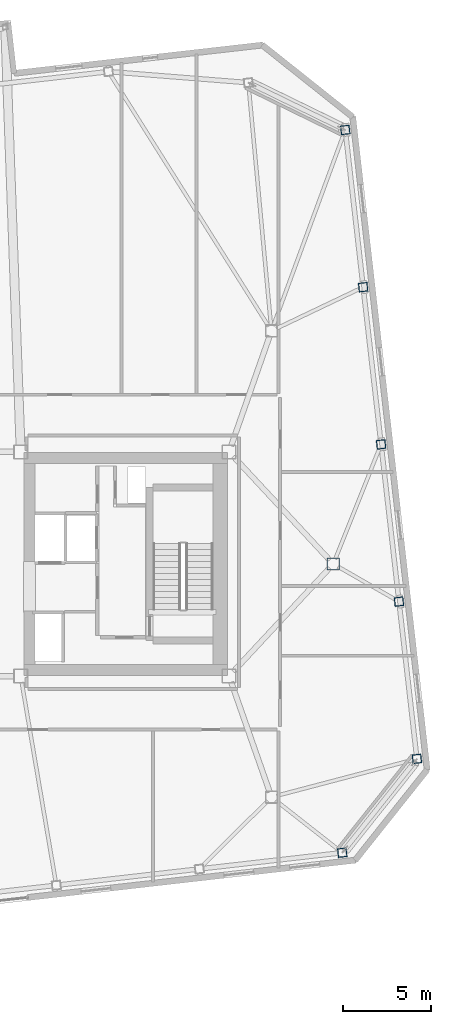
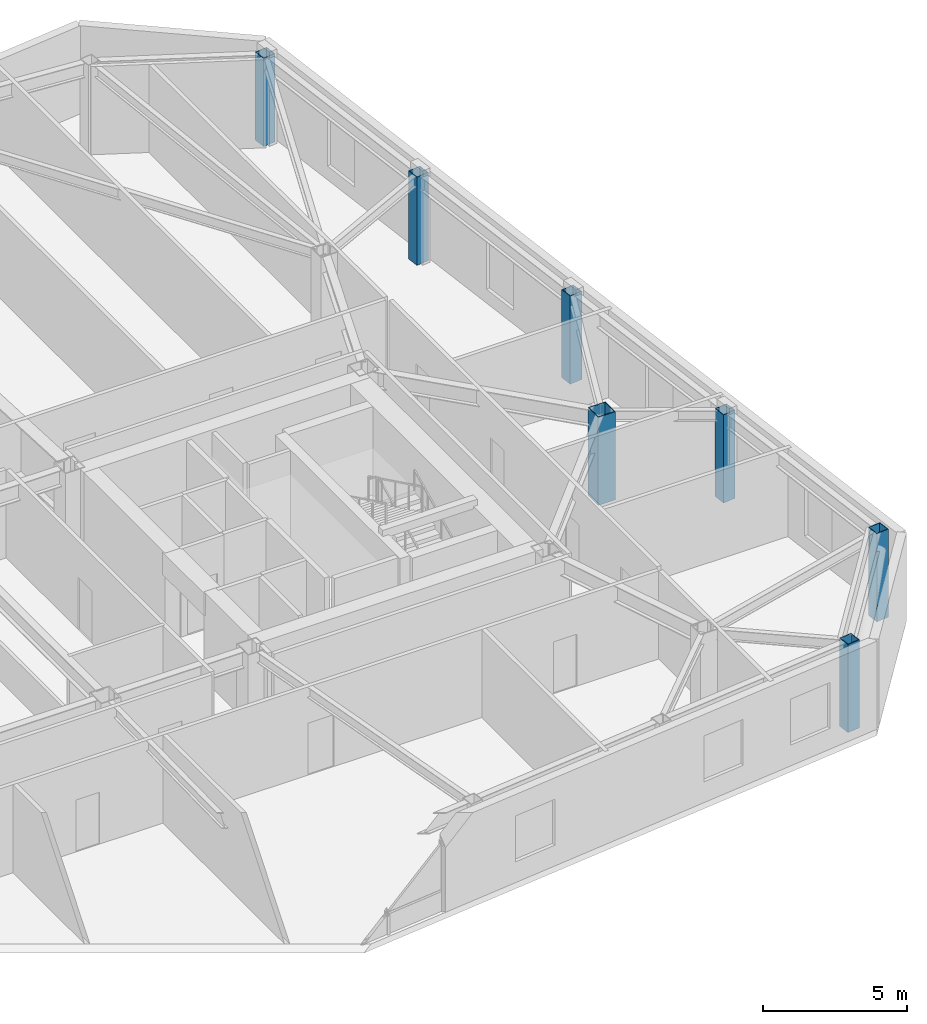
# One storey, part 4 of 19: 7 columns.
"""IFC4 building model written with IfcOpenShell, lengths in metres."""

import ifcopenshell
import ifcopenshell.guid

model = None  # the IFC model being written
_history = None  # IfcOwnerHistory: only IFC2X3 demands one
_inside = {}  # id of a spatial element -> (the spatial element, [elements in it])
_under = {}  # id of a project, library or spatial element -> (it, [spatial elements below it])
_declared = {}  # id of a project -> (the project, [libraries it declares])
_typed = {}  # id of a type object -> (the type object, [elements of that type])
_made_of = {}  # id of a material, layer set ... -> (it, [elements and type objects made of it])


def new_model(schema):
    """Start an empty IFC model of exactly this schema.

    Asked for "IFC4X3", IfcOpenShell would pick the latest addendum, in which some entities
    have other attributes; the version numbers below select the first issue.
    IFC2X3 requires an IfcOwnerHistory on every rooted entity: one is made here for all.
    """
    global model, _history
    if schema == "IFC4X3":
        model = ifcopenshell.file(schema_version=(4, 3, 0, 0))
    else:
        model = ifcopenshell.file(schema=schema)
    _inside.clear()
    _under.clear()
    _declared.clear()
    _typed.clear()
    _made_of.clear()
    _history = None
    if model.schema == "IFC2X3":
        org = make("IfcOrganization", Name="unknown")
        user = make(
            "IfcPersonAndOrganization",
            ThePerson=make("IfcPerson", FamilyName="unknown"),
            TheOrganization=org,
        )
        app = make(
            "IfcApplication",
            ApplicationDeveloper=org,
            Version="unknown",
            ApplicationFullName="unknown",
            ApplicationIdentifier="unknown",
        )
        _history = make(
            "IfcOwnerHistory",
            OwningUser=user,
            OwningApplication=app,
            ChangeAction="ADDED",
            CreationDate=0,
        )
    return model


def make(cls, **values):
    """One entity of the class cls with the attributes given. An attribute that is None is left unset."""
    return model.create_entity(
        cls, **{name: value for name, value in values.items() if value is not None}
    )


def rooted(cls, **values):
    """An entity with a GlobalId (a new one), such as an element, a storey or a relation."""
    return make(cls, GlobalId=ifcopenshell.guid.new(), OwnerHistory=_history, **values)


def si_unit(unit_type, name, prefix=None):
    """IfcSIUnit, for example si_unit("LENGTHUNIT", "METRE", prefix="MILLI")."""
    return make("IfcSIUnit", UnitType=unit_type, Prefix=prefix, Name=name)


def assignment(units):
    """IfcUnitAssignment: the units of a project."""
    return None if units is None else make("IfcUnitAssignment", Units=units)


def point(xyz):
    """IfcCartesianPoint."""
    return None if xyz is None else make("IfcCartesianPoint", Coordinates=xyz)


def direction(xyz):
    """IfcDirection."""
    return None if xyz is None else make("IfcDirection", DirectionRatios=xyz)


def frame(location, z_axis=None, x_axis=None):
    """IfcAxis2Placement3D, a coordinate frame: its origin and axes. An axis left out is left unset."""
    return make(
        "IfcAxis2Placement3D",
        Location=point(location),
        Axis=direction(z_axis),
        RefDirection=direction(x_axis),
    )


def frame_2d(location, x_axis=None):
    """IfcAxis2Placement2D, a coordinate frame in the plane: its origin and x axis."""
    return make(
        "IfcAxis2Placement2D", Location=point(location), RefDirection=direction(x_axis)
    )


def origin():
    """The frame at (0, 0, 0) with its axes left unset."""
    return frame((0.0, 0.0, 0.0))


def origin_2d():
    """The frame at (0, 0) in the plane with its x axis left unset."""
    return frame_2d((0.0, 0.0))


def place(relative_to, where):
    """IfcLocalPlacement: puts the frame where relative to a parent placement (None: the world)."""
    return make(
        "IfcLocalPlacement", PlacementRelTo=relative_to, RelativePlacement=where
    )


def context(
    kind, dimensions, precision=None, world=None, true_north=None, identifier=None
):
    """IfcGeometricRepresentationContext, for example the 3D "Model" context."""
    return make(
        "IfcGeometricRepresentationContext",
        ContextIdentifier=identifier,
        ContextType=kind,
        CoordinateSpaceDimension=dimensions,
        Precision=precision,
        WorldCoordinateSystem=world,
        TrueNorth=true_north,
    )


def subcontext(parent, identifier, kind, view, scale=None):
    """IfcGeometricRepresentationSubContext, for example "Body" below "Model"."""
    return make(
        "IfcGeometricRepresentationSubContext",
        ContextIdentifier=identifier,
        ContextType=kind,
        ParentContext=parent,
        TargetScale=scale,
        TargetView=view,
    )


def project(units=None, contexts=None):
    """IfcProject with its units and contexts."""
    return rooted(
        "IfcProject",
        Name="project",
        RepresentationContexts=contexts,
        UnitsInContext=assignment(units),
    )


def spatial(cls, under=None, at=None, **own):
    """A site, building, storey or space (cls), placed at a placement, below another one or the project."""
    s = rooted(cls, ObjectPlacement=at, **own)
    if under is not None:
        _under.setdefault(under.id(), (under, []))[1].append(s)
    return s


def profile(cls, at=None, kind="AREA", **sizes):
    """A parametric profile (cls). Its sizes go by their IFC names, for example OverallWidth=200.0."""
    return make(cls, ProfileType=kind, Position=at, **sizes)


def hollow_rectangle(**sizes):
    """IfcRectangleHollowProfileDef."""
    return profile("IfcRectangleHollowProfileDef", **sizes)


def extrude(swept, where, along, depth):
    """IfcExtrudedAreaSolid: the profile swept, set in the frame where, extruded along a direction by depth."""
    return make(
        "IfcExtrudedAreaSolid",
        SweptArea=swept,
        Position=where,
        ExtrudedDirection=direction(along),
        Depth=depth,
    )


def shape(context_of_items, identifier, shape_type, items):
    """IfcShapeRepresentation: the items that make up one representation, for example the "Body"."""
    return make(
        "IfcShapeRepresentation",
        ContextOfItems=context_of_items,
        RepresentationIdentifier=identifier,
        RepresentationType=shape_type,
        Items=items,
    )


def material(Name=None, Category=None):
    """IfcMaterial."""
    return make("IfcMaterial", Name=Name, Category=Category)


def material_profile(
    of_material, cross_section, Name=None, Category=None, Priority=None
):
    """IfcMaterialProfile: a cross section and its material."""
    return make(
        "IfcMaterialProfile",
        Name=Name,
        Material=of_material,
        Profile=cross_section,
        Priority=Priority,
        Category=Category,
    )


def profile_set(profiles, Name=None, composite=None):
    """IfcMaterialProfileSet."""
    return make(
        "IfcMaterialProfileSet",
        Name=Name,
        MaterialProfiles=profiles,
        CompositeProfile=composite,
    )


def made_of(thing, what):
    """Note that an element or type object is made of a material, layer set ...; save() writes the relation."""
    if what is not None:
        _made_of.setdefault(what.id(), (what, []))[1].append(thing)
    return thing


def type_object(cls, material=None, **own):
    """A type object (cls), such as IfcWallType, which elements share."""
    return made_of(rooted(cls, **own), material)


def element(
    cls,
    number,
    at=None,
    inside=None,
    cuts=None,
    type_object=None,
    material=None,
    context=None,
    identifier="Body",
    shape_type=None,
    held_by="IfcProductDefinitionShape",
    body=None,
    shapes=None,
    **own,
):
    """One element of the class cls, such as IfcWall. Its Tag is "e" and its number.

    at: its placement. inside: the storey or other place that contains it. cuts: it is an
    opening in that element (IfcRelVoidsElement). A single representation is given by context,
    identifier, shape_type and body (its items); several are given by shapes. held_by: the class
    of the entity that holds the representations. save() writes the other relations.
    """
    e = rooted(cls, Tag="e%d" % number, ObjectPlacement=at, **own)
    if body is not None:
        shapes = [shape(context, identifier, shape_type, body)]
    if shapes is not None:
        e.Representation = make(held_by, Representations=shapes)
    if inside is not None:
        _inside.setdefault(inside.id(), (inside, []))[1].append(e)
    if cuts is not None:
        rooted(
            "IfcRelVoidsElement", RelatingBuildingElement=cuts, RelatedOpeningElement=e
        )
    if type_object is not None:
        _typed.setdefault(type_object.id(), (type_object, []))[1].append(e)
    return made_of(e, material)


def aggregate(whole, parts):
    """IfcRelAggregates: a whole, such as a stair, and the parts it consists of."""
    return rooted("IfcRelAggregates", RelatingObject=whole, RelatedObjects=parts)


def save(model, path):
    """Write the relations noted so far, then the file.

    IfcRelAggregates (storeys below a building ...), IfcRelContainedInSpatialStructure (elements
    in a storey), IfcRelDefinesByType, IfcRelAssociatesMaterial and IfcRelDeclares: one each for
    every whole, place, type object, material and project.
    """
    for whole, parts in _under.values():
        aggregate(whole, parts)
    for where, things in _inside.values():
        rooted(
            "IfcRelContainedInSpatialStructure",
            RelatedElements=things,
            RelatingStructure=where,
        )
    for kind, things in _typed.values():
        rooted("IfcRelDefinesByType", RelatedObjects=things, RelatingType=kind)
    for what, things in _made_of.values():
        rooted("IfcRelAssociatesMaterial", RelatedObjects=things, RelatingMaterial=what)
    for by, libraries in _declared.values():
        rooted("IfcRelDeclares", RelatingContext=by, RelatedDefinitions=libraries)
    model.write(path)


model = new_model("IFC4")

# Units and contexts
model_context = context("Model", 3, precision=1e-05, world=origin(), true_north=direction((0.0, 1.0)))
body_context = subcontext(model_context, "Body", "Model", "MODEL_VIEW")
ifc_project = project(units=[si_unit("LENGTHUNIT", "METRE"), si_unit("AREAUNIT", "SQUARE_METRE"), si_unit("VOLUMEUNIT", "CUBIC_METRE"), si_unit("PLANEANGLEUNIT", "RADIAN"), si_unit("MASSUNIT", "GRAM", prefix="KILO")], contexts=[model_context])

# Site, building, storey
site_placement = place(None, origin())
site = spatial("IfcSite", under=ifc_project, at=site_placement, CompositionType="ELEMENT")
building_placement = place(site_placement, origin())
building = spatial("IfcBuilding", under=site, at=building_placement, Name="Tavrogorsk Clinical Tower", CompositionType="ELEMENT")
storey_placement = place(building_placement, frame((0.0, 0.0, 243.0)))
storey = spatial("IfcBuildingStorey", under=building, at=storey_placement, Name="L56", CompositionType="ELEMENT", Elevation=243.0)

# Columns
ifc_material_1 = material(Name="Structural steel S440", Category="steel")
ifc_material_profile_1 = material_profile(ifc_material_1, hollow_rectangle(XDim=0.699951171875, YDim=0.699951171875, WallThickness=0.031982421875, at=origin_2d()), Name="BOX-700x700x32")
ifc_profile_set_1 = profile_set([ifc_material_profile_1], Name="Structural steel S440")
column_type_1 = type_object("IfcColumnType", Name="MegaCol_BOX700", PredefinedType="COLUMN", material=ifc_profile_set_1)
column_placement = place(storey_placement, frame((28.0, 0.0, 0.0), z_axis=(0.0, 0.0, 1.0), x_axis=(1.0, 0.0, 0.0)))
element("IfcColumn", 1, at=column_placement, inside=storey, type_object=column_type_1, Name="L56 Spine Pilotis Column MC-P6", PredefinedType="COLUMN", context=body_context, shape_type="SweptSolid", body=[
    extrude(hollow_rectangle(XDim=0.699951171875, YDim=0.699951171875, WallThickness=0.031982421875, at=origin_2d()), origin(), (0.0, 0.0, 1.0), 3.739990234375),
])
ifc_material_2 = material(Name="Structural steel S440", Category="steel")
ifc_material_profile_2 = material_profile(ifc_material_2, hollow_rectangle(XDim=0.5, YDim=0.5, WallThickness=0.02490234375, at=origin_2d()), Name="BOX-500x500x25")
ifc_profile_set_2 = profile_set([ifc_material_profile_2], Name="Structural steel S440")
column_type_2 = type_object("IfcColumnType", Name="PerimCol_B4_BOX500", PredefinedType="COLUMN", material=ifc_profile_set_2)
for number, where, z_axis, x_axis, name in (
    (2, (28.508544921875, -16.345458984375, 0.0), (0.0, 0.0, 1.0), (0.993571855677, 0.113203213768, 0.0), "L56 Perimeter Column S8"),
    (3, (32.734375, -11.032958984375, 0.0), (0.0, 0.0, 1.0), (0.993571855677, 0.113203213768, 0.0), "L56 Perimeter Column E1"),
    (4, (31.72021484375, -2.130615234375, 0.0), (0.0, 0.0, 1.0), (0.993571855677, 0.113203213768, 0.0), "L56 Perimeter Column E2"),
    (5, (30.705810546875, 6.77197265625, 0.0), (0.0, 0.0, 1.0), (0.993571855677, 0.113203213768, 0.0), "L56 Perimeter Column E3"),
    (6, (29.69140625, 15.67431640625, 0.0), (0.0, 0.0, 1.0), (0.993571855677, 0.113203213768, 0.0), "L56 Perimeter Column E4"),
    (7, (28.67724609375, 24.57666015625, 0.0), (0.0, 0.0, 1.0), (0.993571855677, 0.113203213768, 0.0), "L56 Perimeter Column E5"),
):
    element("IfcColumn", number, at=place(storey_placement, frame(where, z_axis=z_axis, x_axis=x_axis)), inside=storey, type_object=column_type_2, Name=name, PredefinedType="COLUMN", context=body_context, shape_type="SweptSolid", body=[
        extrude(hollow_rectangle(XDim=0.5, YDim=0.5, WallThickness=0.02490234375, at=origin_2d()), origin(), (0.0, 0.0, 1.0), 3.739990234375),
    ])

save(model, "model.ifc")
